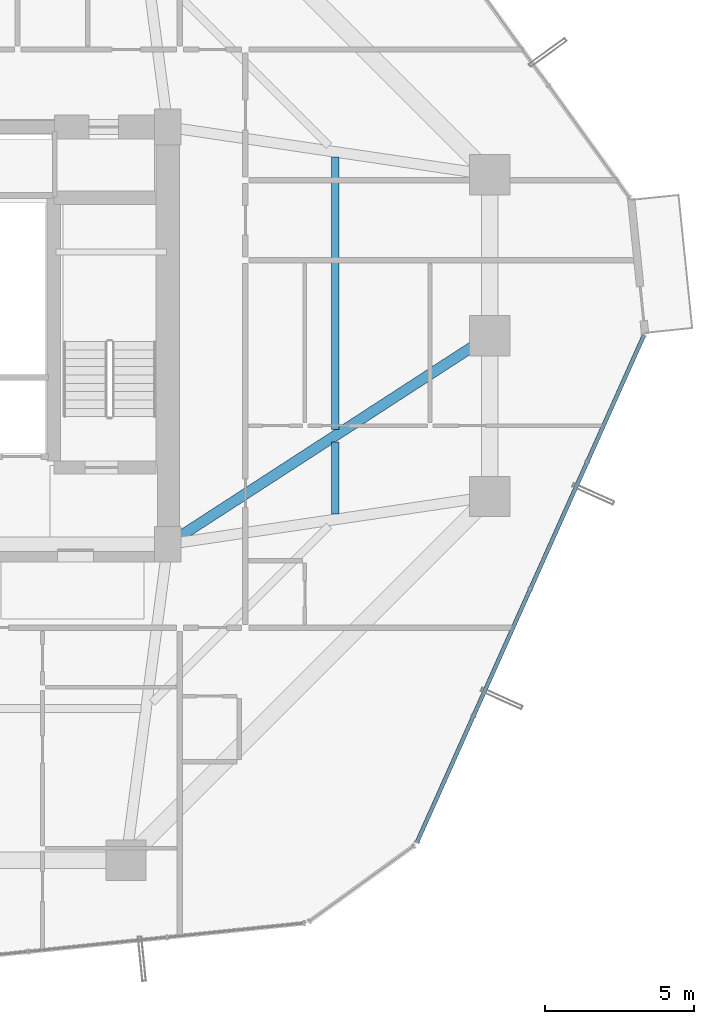
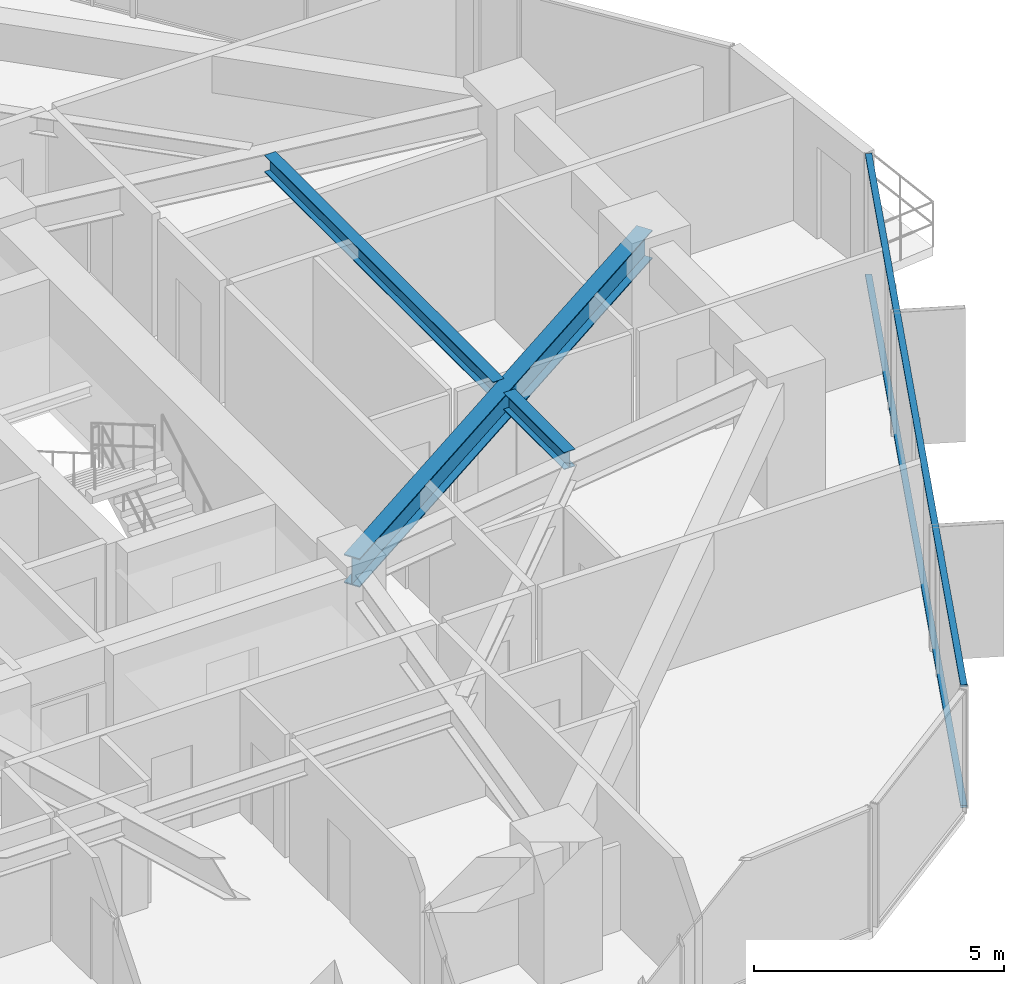
# One storey, part 17 of 37: 3 beams, 2 members, 1 element without a shape of its own.
"""IFC4 building model written with IfcOpenShell, lengths in metres."""

from ifc_helpers import new_model, si_unit, direction, frame, origin, origin_2d, place, context, subcontext, project, spatial, hollow_rectangle, i_section, extrude, source, transform, mapped, material, layer, layer_set, material_profile, profile_set, type_object, element, aggregate, save


model = new_model("IFC4")

# Units and contexts
model_context = context("Model", 3, precision=1e-05, world=origin(), true_north=direction((0.0, 1.0)))
body_context = subcontext(model_context, "Body", "Model", "MODEL_VIEW")
ifc_project = project(units=[si_unit("LENGTHUNIT", "METRE"), si_unit("AREAUNIT", "SQUARE_METRE"), si_unit("VOLUMEUNIT", "CUBIC_METRE"), si_unit("PLANEANGLEUNIT", "RADIAN"), si_unit("MASSUNIT", "GRAM", prefix="KILO")], contexts=[model_context])

# Site, building, storey
site_placement = place(None, origin())
site = spatial("IfcSite", under=ifc_project, at=site_placement, CompositionType="ELEMENT")
building_placement = place(site_placement, origin())
building = spatial("IfcBuilding", under=site, at=building_placement, Name="Veraguas Prism Commons", CompositionType="ELEMENT")
storey_placement = place(building_placement, frame((0.0, 0.0, 43.550048828125)))
storey = spatial("IfcBuildingStorey", under=building, at=storey_placement, Name="L11", CompositionType="ELEMENT", Elevation=43.550048828125)

# Beams
ifc_material_1 = material(Name="Steel ASTM A992 Grade 50", Category="steel")
ifc_material_profile_1 = material_profile(ifc_material_1, i_section(OverallWidth=0.260986328125, OverallDepth=0.419921875, WebThickness=0.01171875, FlangeThickness=0.019287109375, at=origin_2d()), Name="W410X114")
ifc_profile_set_1 = profile_set([ifc_material_profile_1], Name="Steel ASTM A992 Grade 50")
beam_type_1 = type_object("IfcBeamType", Name="Lower Floor Joist W410x114", PredefinedType="JOIST", material=ifc_profile_set_1)
beam_1_placement = place(storey_placement, frame((36.416015625, 18.010009765625, 2.7900390625), z_axis=(0.0, 1.0, 0.0), x_axis=(-1.0, 0.0, 0.0)))
element("IfcBeam", 1, at=beam_1_placement, inside=storey, type_object=beam_type_1, Name="Composite Floor Joist L11-JS01", PredefinedType="JOIST", context=body_context, shape_type="SweptSolid", body=[
    extrude(i_section(OverallWidth=0.260986328125, OverallDepth=0.419921875, WebThickness=0.01171875, FlangeThickness=0.019287109375, at=origin_2d()), origin(), (0.0, 0.0, 1.0), 2.42041015625),
])
beam_2_placement = place(storey_placement, frame((36.416015625, 20.849609375, 2.7900390625), z_axis=(0.0, 1.0, 0.0), x_axis=(-1.0, 0.0, 0.0)))
element("IfcBeam", 2, at=beam_2_placement, inside=storey, type_object=beam_type_1, Name="Composite Floor Joist L11-JS02", PredefinedType="JOIST", context=body_context, shape_type="SweptSolid", body=[
    extrude(i_section(OverallWidth=0.260986328125, OverallDepth=0.419921875, WebThickness=0.01171875, FlangeThickness=0.019287109375, at=origin_2d()), origin(), (0.0, 0.0, 1.0), 9.140380859375),
])
ifc_material_profile_2 = material_profile(ifc_material_1, i_section(OverallWidth=0.35595703125, OverallDepth=0.700927734375, WebThickness=0.016845703125, FlangeThickness=0.02734375, at=origin_2d()), Name="W690X240")
ifc_profile_set_2 = profile_set([ifc_material_profile_2], Name="Steel ASTM A992 Grade 50")
beam_type_2 = type_object("IfcBeamType", Name="Zone 1 Radial Girder W690x240", PredefinedType="BEAM", material=ifc_profile_set_2)
beam_3_placement = place(storey_placement, frame((41.60009765625, 24.0, 2.6494140625), z_axis=(-0.839154108875, -0.543893722668, 0.0), x_axis=(0.543893722668, -0.839154108875, 0.0)))
element("IfcBeam", 3, at=beam_3_placement, inside=storey, type_object=beam_type_2, Name="Radial Floor Girder L11-RD02", PredefinedType="BEAM", context=body_context, shape_type="SweptSolid", body=[
    extrude(i_section(OverallWidth=0.35595703125, OverallDepth=0.700927734375, WebThickness=0.016845703125, FlangeThickness=0.02734375, at=origin_2d()), origin(), (0.0, 0.0, 1.0), 12.8701171875),
])

# Curtain wall, members
ifc_material_2 = material(Name="Anodised aluminium EN AW-6063 T6", Category="aluminium")
ifc_layer = layer(ifc_material_2, 0.169921875, Name="Unitised Flush Curtain Wall Zone 1", Category="aluminium")
ifc_layer_set = layer_set([ifc_layer], Name="Anodised aluminium EN AW-6063 T6")
curtain_wall_type = type_object("IfcCurtainWallType", Name="Unitised Flush Curtain Wall Zone 1", PredefinedType="NOTDEFINED", material=ifc_layer_set)
curtain_wall_placement = place(storey_placement, origin())
curtain_wall = element("IfcCurtainWall", 4, at=curtain_wall_placement, inside=storey, type_object=curtain_wall_type, Name="Tower Facade Curtain Wall L11-F6", PredefinedType="NOTDEFINED")
ifc_material_profile_3 = material_profile(ifc_material_2, hollow_rectangle(XDim=0.054931640625, YDim=0.135009765625, WallThickness=0.0029296875, at=origin_2d()), Name="AL55X135X3")
ifc_profile_set_3 = profile_set([ifc_material_profile_3], Name="Anodised aluminium EN AW-6063 T6")
member_type = type_object("IfcMemberType", Name="Curtain Wall Transom Standard AL 55x135x3", PredefinedType="USERDEFINED", material=ifc_profile_set_3)
shared_shape = source(origin(), body_context, "Body", "SweptSolid", [
    extrude(hollow_rectangle(XDim=0.054931640625, YDim=0.135009765625, WallThickness=0.0029296875, at=origin_2d()), origin(), (0.0, 0.0, 1.0), 18.62353515625),
])
member_1_placement = place(storey_placement, frame((39.16455078125, 7.007568359375, 0.02734375), z_axis=(0.408653489369, 0.91268961078, 0.0), x_axis=(0.0, 0.0, 1.0)))
member_1 = element("IfcMember", 5, at=member_1_placement, type_object=member_type, Name="CW-Z1 Transom 1", ObjectType="TRANSOM", PredefinedType="USERDEFINED", context=body_context, shape_type="MappedRepresentation", body=[
    mapped(shared_shape, transform((0.0, 0.0, 0.0), scale=1.0)),
])
member_2_placement = place(storey_placement, frame((39.16455078125, 7.007568359375, 2.972412109375), z_axis=(0.408653489369, 0.91268961078, 0.0), x_axis=(0.0, 0.0, 1.0)))
member_2 = element("IfcMember", 6, at=member_2_placement, type_object=member_type, Name="CW-Z1 Transom 2", ObjectType="TRANSOM", PredefinedType="USERDEFINED", context=body_context, shape_type="MappedRepresentation", body=[
    mapped(shared_shape, transform((0.0, 0.0, 0.0), scale=1.0)),
])
aggregate(curtain_wall, [member_1, member_2])

save(model, "model.ifc")
